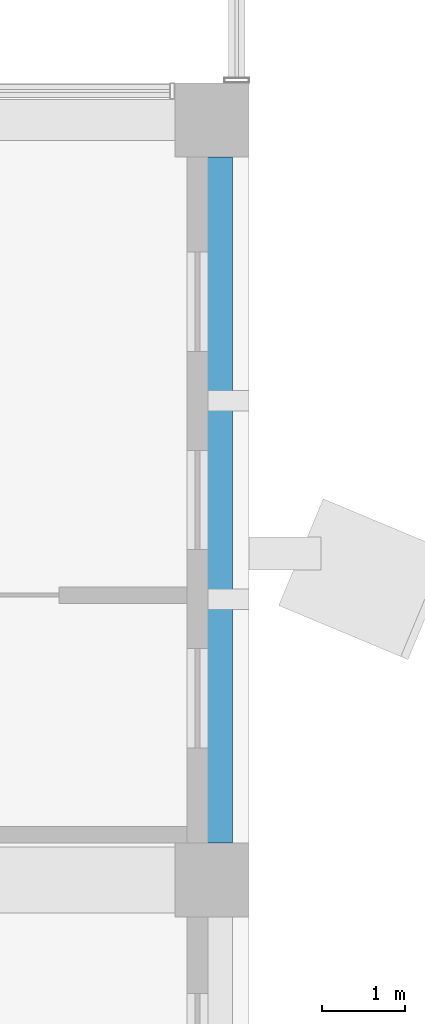
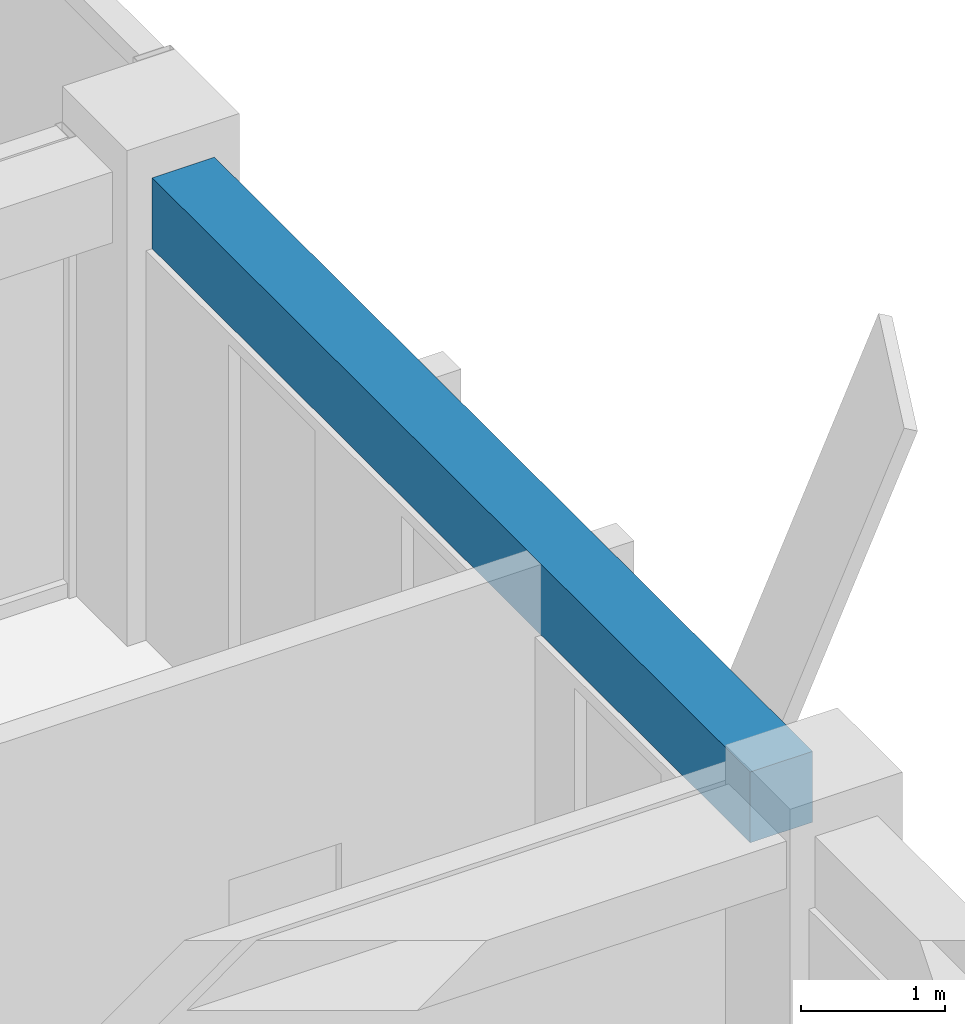
# One storey, part 15 of 36: 1 beam.
"""IFC4 building model written with IfcOpenShell, lengths in metres."""

from ifc_helpers import new_model, si_unit, direction, frame, origin, origin_2d, place, context, subcontext, project, spatial, rectangle, extrude, material, material_profile, profile_set, type_object, element, save


model = new_model("IFC4")

# Units and contexts
model_context = context("Model", 3, precision=1e-05, world=origin(), true_north=direction((0.0, 1.0)))
body_context = subcontext(model_context, "Body", "Model", "MODEL_VIEW")
ifc_project = project(units=[si_unit("LENGTHUNIT", "METRE"), si_unit("AREAUNIT", "SQUARE_METRE"), si_unit("VOLUMEUNIT", "CUBIC_METRE"), si_unit("PLANEANGLEUNIT", "RADIAN"), si_unit("MASSUNIT", "GRAM", prefix="KILO")], contexts=[model_context])

# Site, building, storey
site_placement = place(None, origin())
site = spatial("IfcSite", under=ifc_project, at=site_placement, CompositionType="ELEMENT")
building_placement = place(site_placement, origin())
building = spatial("IfcBuilding", under=site, at=building_placement, Name="Nzadi Deep Aquarium and Research Tower", CompositionType="ELEMENT")
storey_placement = place(building_placement, frame((0.0, 0.0, 44.5)))
storey = spatial("IfcBuildingStorey", under=building, at=storey_placement, Name="L08", CompositionType="ELEMENT", Elevation=44.5)

# Beam
ifc_material = material(Name="Concrete C35/45", Category="concrete")
ifc_material_profile = material_profile(ifc_material, rectangle(XDim=0.5, YDim=0.60009765625, at=origin_2d()))
ifc_profile_set = profile_set([ifc_material_profile], Name="Concrete C35/45")
beam_type = type_object("IfcBeamType", Name="RC 500x600", PredefinedType="BEAM", material=ifc_profile_set)
beam_placement = place(storey_placement, frame((48.0, 9.64990234375, 3.60009765625), z_axis=(0.0, 1.0, 0.0), x_axis=(-1.0, 0.0, 0.0)))
element("IfcBeam", 1, at=beam_placement, inside=storey, type_object=beam_type, Name="B-Z1-L08-CF-2-1", PredefinedType="BEAM", context=body_context, shape_type="SweptSolid", body=[
    extrude(rectangle(XDim=0.5, YDim=0.60009765625, at=origin_2d()), origin(), (0.0, 0.0, 1.0), 8.300048828125),
])

save(model, "model.ifc")
